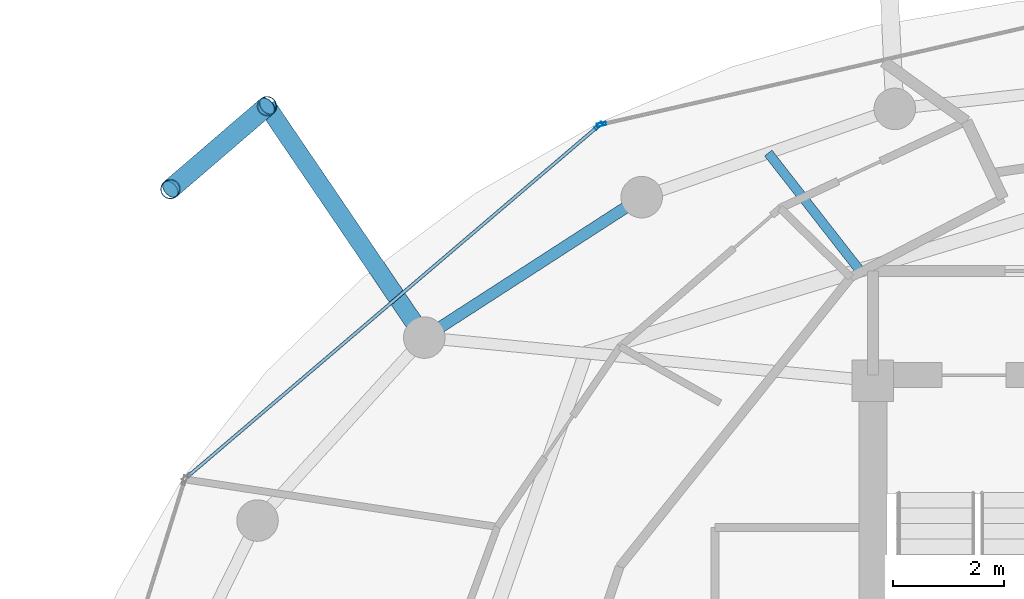
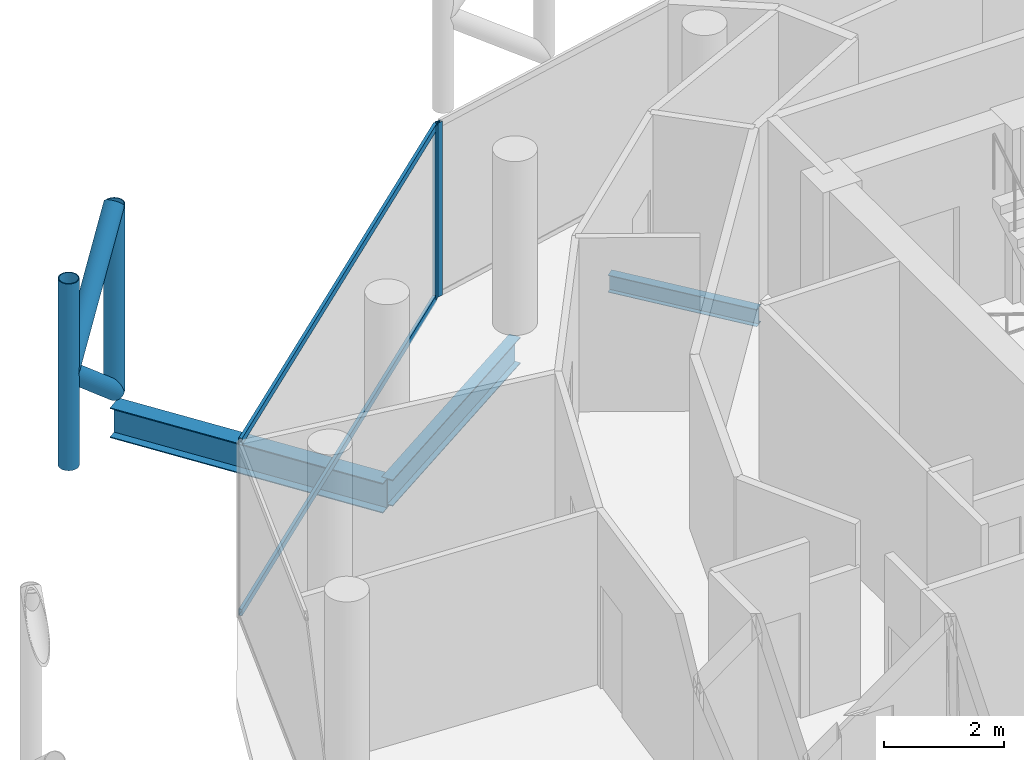
# One storey, part 15 of 24: 8 members, 3 beams, 2 elements without a shape of their own.
"""IFC4 building model written with IfcOpenShell, lengths in metres."""

from ifc_helpers import new_model, si_unit, direction, frame, origin, origin_2d, place, context, subcontext, project, spatial, hollow_rectangle, hollow_circle, i_section, extrude, material, layer, layer_set, material_profile, profile_set, type_object, element, aggregate, save


model = new_model("IFC4")

# Units and contexts
model_context = context("Model", 3, precision=1e-05, world=origin(), true_north=direction((0.0, 1.0)))
body_context = subcontext(model_context, "Body", "Model", "MODEL_VIEW")
ifc_project = project(units=[si_unit("LENGTHUNIT", "METRE"), si_unit("AREAUNIT", "SQUARE_METRE"), si_unit("VOLUMEUNIT", "CUBIC_METRE"), si_unit("PLANEANGLEUNIT", "RADIAN"), si_unit("MASSUNIT", "GRAM", prefix="KILO")], contexts=[model_context])

# Site, building, storey
site_placement = place(None, origin())
site = spatial("IfcSite", under=ifc_project, at=site_placement, CompositionType="ELEMENT")
building_placement = place(site_placement, origin())
building = spatial("IfcBuilding", under=site, at=building_placement, Name="Nuhasar Tower", CompositionType="ELEMENT")
storey_placement = place(building_placement, frame((0.0, 0.0, 278.39990234375)))
storey = spatial("IfcBuildingStorey", under=building, at=storey_placement, Name="L69", CompositionType="ELEMENT", Elevation=278.39990234375)

# Beams
ifc_material_1 = material(Name="Steel S355", Category="steel")
ifc_material_profile_1 = material_profile(ifc_material_1, i_section(OverallWidth=0.1708984375, OverallDepth=0.35205078125, WebThickness=0.0068359375, FlangeThickness=0.009765625, at=origin_2d()), Name="W14X30")
ifc_profile_set_1 = profile_set([ifc_material_profile_1], Name="Steel S355")
beam_type_1 = type_object("IfcBeamType", Name="BM-JST-W14X30", PredefinedType="JOIST", material=ifc_profile_set_1)
beam_1_placement = place(storey_placement, frame((33.4609375, 39.29296875, -0.435791015625), z_axis=(-0.614953767351, 0.788563164256, 0.0), x_axis=(-0.788563164256, -0.614953767351, 0.0)))
element("IfcBeam", 1, at=beam_1_placement, inside=storey, type_object=beam_type_1, Name="L69 Secondary Floor Joist 06", PredefinedType="JOIST", context=body_context, shape_type="SweptSolid", body=[
    extrude(i_section(OverallWidth=0.1708984375, OverallDepth=0.35205078125, WebThickness=0.0068359375, FlangeThickness=0.009765625, at=origin_2d()), origin(), (0.0, 0.0, 1.0), 2.6845703125),
])
ifc_material_profile_2 = material_profile(ifc_material_1, i_section(OverallWidth=0.2099609375, OverallDepth=0.537109375, WebThickness=0.010986328125, FlangeThickness=0.017333984375, at=origin_2d()), Name="W21X68")
ifc_profile_set_2 = profile_set([ifc_material_profile_2], Name="Steel S355")
beam_type_2 = type_object("IfcBeamType", Name="BM-RING-W21X68", PredefinedType="SPANDREL", material=ifc_profile_set_2)
beam_2_placement = place(storey_placement, frame((29.52490234375, 40.613037109375, -0.52880859375), z_axis=(-0.840001671147, -0.54258381147, 0.0), x_axis=(0.54258381147, -0.840001671147, 0.0)))
element("IfcBeam", 2, at=beam_2_placement, inside=storey, type_object=beam_type_2, Name="L69 Perimeter Ring Spandrel 09", PredefinedType="SPANDREL", context=body_context, shape_type="SweptSolid", body=[
    extrude(i_section(OverallWidth=0.2099609375, OverallDepth=0.537109375, WebThickness=0.010986328125, FlangeThickness=0.017333984375, at=origin_2d()), origin(), (0.0, 0.0, 1.0), 4.67236328125),
])
ifc_material_profile_3 = material_profile(ifc_material_1, i_section(OverallWidth=0.323974609375, OverallDepth=0.611083984375, WebThickness=0.0126953125, FlangeThickness=0.01904296875, at=origin_2d()), Name="W24X104")
ifc_profile_set_3 = profile_set([ifc_material_profile_3], Name="Steel S355")
beam_type_3 = type_object("IfcBeamType", Name="BM-TIE-W24X104", PredefinedType="BEAM", material=ifc_profile_set_3)
beam_3_placement = place(storey_placement, frame((25.60009765625, 38.077880859375, -0.56591796875), z_axis=(-0.562070792096, 0.827089127405, 0.0), x_axis=(-0.827089127405, -0.562070792096, 0.0)))
element("IfcBeam", 3, at=beam_3_placement, inside=storey, type_object=beam_type_3, Name="L69 Exoskeleton Node Tie Beam 05", PredefinedType="BEAM", context=body_context, shape_type="SweptSolid", body=[
    extrude(i_section(OverallWidth=0.323974609375, OverallDepth=0.611083984375, WebThickness=0.0126953125, FlangeThickness=0.01904296875, at=origin_2d()), origin(), (0.0, 0.0, 1.0), 5.052978515625),
])

# Curtain wall, member
ifc_material_2 = material(Name="Aluminium 6063-T6", Category="aluminium")
ifc_layer = layer(ifc_material_2, 0.18994140625)
ifc_layer_set = layer_set([ifc_layer], Name="Aluminium 6063-T6")
curtain_wall_type = type_object("IfcCurtainWallType", Name="CW-Z4-PEN", PredefinedType="NOTDEFINED", material=ifc_layer_set)
curtain_wall_1_placement = place(storey_placement, origin())
curtain_wall_1 = element("IfcCurtainWall", 4, at=curtain_wall_1_placement, inside=storey, type_object=curtain_wall_type, Name="L69 Unitised Curtain Wall 04", PredefinedType="NOTDEFINED")
ifc_material_profile_4 = material_profile(ifc_material_2, hollow_rectangle(XDim=0.06005859375, YDim=0.1650390625, WallThickness=0.0048828125, at=origin_2d()), Name="CWM-5")
ifc_profile_set_4 = profile_set([ifc_material_profile_4], Name="Aluminium 6063-T6")
member_type_1 = type_object("IfcMemberType", Name="CW-MUL-S5", PredefinedType="MULLION", material=ifc_profile_set_4)
member_1_placement = place(storey_placement, frame((28.79931640625, 41.927734375, 0.0), z_axis=(0.0, 0.0, 1.0), x_axis=(0.222889487645, -0.97484371891, 0.0)))
member_1 = element("IfcMember", 5, at=member_1_placement, type_object=member_type_1, Name="CW-Z4 mullion 2", PredefinedType="MULLION", context=body_context, shape_type="SweptSolid", body=[
    extrude(hollow_rectangle(XDim=0.06005859375, YDim=0.1650390625, WallThickness=0.0048828125, at=origin_2d()), origin(), (0.0, 0.0, 1.0), 3.5400390625),
])
aggregate(curtain_wall_1, [member_1])

# Curtain wall, members
curtain_wall_2_placement = place(storey_placement, origin())
curtain_wall_2 = element("IfcCurtainWall", 6, at=curtain_wall_2_placement, inside=storey, type_object=curtain_wall_type, Name="L69 Unitised Curtain Wall 05", PredefinedType="NOTDEFINED")
member_2_placement = place(storey_placement, frame((28.7470703125, 41.901611328125, 0.0), z_axis=(0.0, 0.0, 1.0), x_axis=(0.649141996205, -0.760667252327, 0.0)))
member_2 = element("IfcMember", 7, at=member_2_placement, type_object=member_type_1, Name="CW-Z4 mullion 1", PredefinedType="MULLION", context=body_context, shape_type="SweptSolid", body=[
    extrude(hollow_rectangle(XDim=0.06005859375, YDim=0.1650390625, WallThickness=0.0048828125, at=origin_2d()), origin(), (0.0, 0.0, 1.0), 3.5400390625),
])
ifc_material_profile_5 = material_profile(ifc_material_2, hollow_rectangle(XDim=0.06005859375, YDim=0.135009765625, WallThickness=0.00439453125, at=origin_2d()), Name="CWT-5")
ifc_profile_set_5 = profile_set([ifc_material_profile_5], Name="Aluminium 6063-T6")
member_type_2 = type_object("IfcMemberType", Name="CW-TRN-S5", PredefinedType="USERDEFINED", material=ifc_profile_set_5)
member_3_placement = place(storey_placement, frame((28.724365234375, 41.882080078125, 0.030029296875), z_axis=(-0.760660035709, -0.649150452573, 0.0), x_axis=(0.649150452573, -0.760660035709, 0.0)))
member_3 = element("IfcMember", 8, at=member_3_placement, type_object=member_type_2, Name="CW-Z4 transom 1.1", ObjectType="TRANSOM", PredefinedType="USERDEFINED", context=body_context, shape_type="SweptSolid", body=[
    extrude(hollow_rectangle(XDim=0.06005859375, YDim=0.135009765625, WallThickness=0.00439453125, at=origin_2d()), origin(), (0.0, 0.0, 1.0), 9.725341796875),
])
member_4_placement = place(storey_placement, frame((28.724365234375, 41.882080078125, 3.510009765625), z_axis=(-0.760660035709, -0.649150452573, 0.0), x_axis=(0.649150452573, -0.760660035709, 0.0)))
member_4 = element("IfcMember", 9, at=member_4_placement, type_object=member_type_2, Name="CW-Z4 transom 1.2", ObjectType="TRANSOM", PredefinedType="USERDEFINED", context=body_context, shape_type="SweptSolid", body=[
    extrude(hollow_rectangle(XDim=0.06005859375, YDim=0.135009765625, WallThickness=0.00439453125, at=origin_2d()), origin(), (0.0, 0.0, 1.0), 9.725341796875),
])
aggregate(curtain_wall_2, [member_2, member_3, member_4])

# Members
ifc_material_3 = material(Name="Steel S460", Category="steel")
ifc_material_profile_6 = material_profile(ifc_material_3, hollow_circle(Radius=0.177734375, WallThickness=0.015869140625, at=origin_2d()), Name="HSS355.6X15.9")
ifc_profile_set_6 = profile_set([ifc_material_profile_6], Name="Steel S460")
member_type_3 = type_object("IfcMemberType", Name="EXO-BRONZE-356", PredefinedType="BRACE", material=ifc_profile_set_6)
for number, where, z_axis, x_axis, name in (
    (10, (22.760009765625, 42.257080078125, 0.0), (0.0, 0.0, 1.0), (1.0, 0.0, 0.0), "L69 Exoskeleton Chord Column EC-05A"),
    (11, (21.01611328125, 40.758056640625, 0.0), (0.0, 0.0, 1.0), (1.0, 0.0, 0.0), "L69 Exoskeleton Chord Column EC-05B"),
):
    element("IfcMember", number, at=place(storey_placement, frame(where, z_axis=z_axis, x_axis=x_axis)), inside=storey, type_object=member_type_3, Name=name, PredefinedType="BRACE", context=body_context, shape_type="SweptSolid", body=[
        extrude(hollow_circle(Radius=0.177734375, WallThickness=0.015869140625, at=origin_2d()), origin(), (0.0, 0.0, 1.0), 3.800048828125),
    ])
member_5_placement = place(storey_placement, frame((22.760009765625, 42.257080078125, 0.0), z_axis=(-0.584594747408, -0.50250759472, 0.636973389203), x_axis=(0.65185738425, -0.758341579104, 0.0)))
element("IfcMember", 12, at=member_5_placement, inside=storey, type_object=member_type_3, Name="L69 Bronze Diagrid Brace W1-05", PredefinedType="BRACE", context=body_context, shape_type="SweptSolid", body=[
    extrude(hollow_circle(Radius=0.177734375, WallThickness=0.015869140625, at=origin_2d()), origin(), (0.0, 0.0, 1.0), 2.983154296875),
])
member_6_placement = place(storey_placement, frame((21.01611328125, 40.758056640625, 1.900146484375), z_axis=(0.584625223306, 0.502533791278, 0.636924749792), x_axis=(-0.65185738425, 0.758341579104, 0.0)))
element("IfcMember", 13, at=member_6_placement, inside=storey, type_object=member_type_3, Name="L69 Bronze Diagrid Brace W2-05", PredefinedType="BRACE", context=body_context, shape_type="SweptSolid", body=[
    extrude(hollow_circle(Radius=0.177734375, WallThickness=0.015869140625, at=origin_2d()), origin(), (0.0, 0.0, 1.0), 2.98291015625),
])

save(model, "model.ifc")
